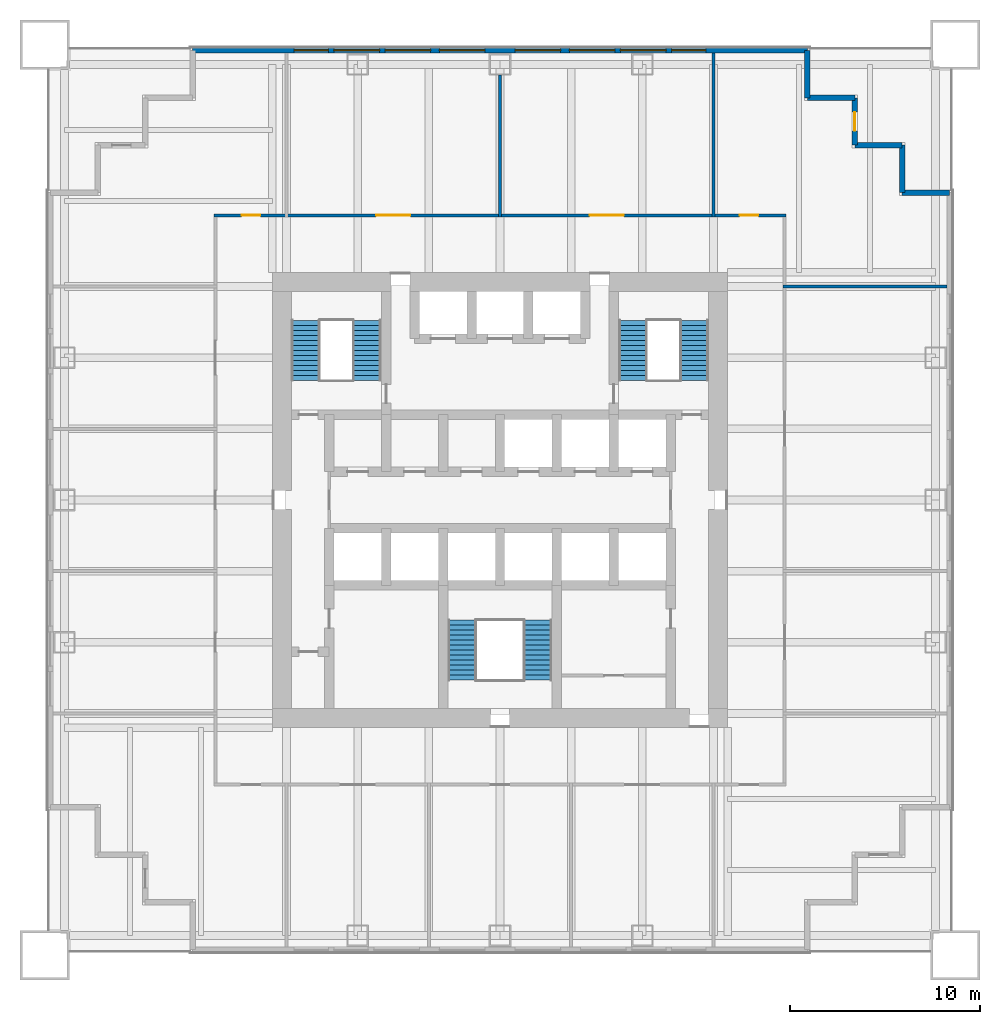
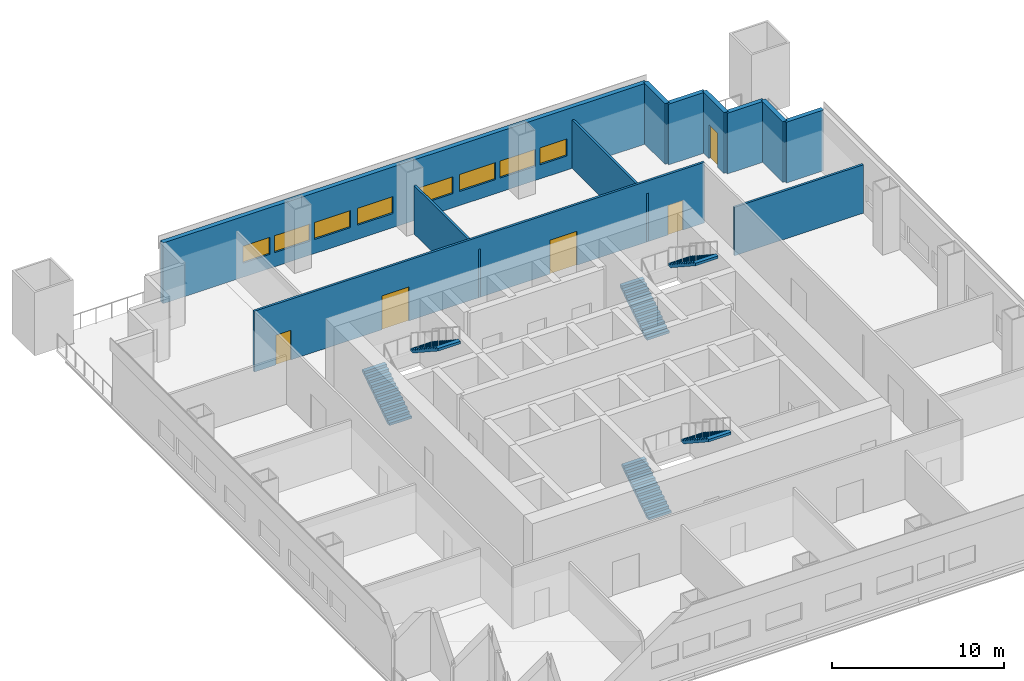
# One storey, part 5 of 7: 11 walls, 8 windows, 6 stair flights, 5 doors, 13 openings, 3 elements without a shape of their own.
"""IFC4 building model written with IfcOpenShell, lengths in metres."""

from ifc_helpers import new_model, si_unit, direction, frame, frame_2d, origin, place, context, subcontext, project, spatial, polyline, rectangle, outline, extrude, material, layer, layer_set, type_object, element, fill, aggregate, save


model = new_model("IFC4")

# Units and contexts
model_context = context("Model", 3, precision=1e-05, world=origin(), true_north=direction((0.0, 1.0)))
body_context = subcontext(model_context, "Body", "Model", "MODEL_VIEW")
ifc_project = project(units=[si_unit("LENGTHUNIT", "METRE"), si_unit("AREAUNIT", "SQUARE_METRE"), si_unit("VOLUMEUNIT", "CUBIC_METRE"), si_unit("PLANEANGLEUNIT", "RADIAN"), si_unit("MASSUNIT", "GRAM", prefix="KILO")], contexts=[model_context])

# Site, building, storey
site_placement = place(None, origin())
site = spatial("IfcSite", under=ifc_project, at=site_placement, CompositionType="ELEMENT")
building_placement = place(site_placement, origin())
building = spatial("IfcBuilding", under=site, at=building_placement, Name="Tarangal Relay Tower", CompositionType="ELEMENT")
storey_placement = place(building_placement, frame((0.0, 0.0, 162.89990234375)))
storey = spatial("IfcBuildingStorey", under=building, at=storey_placement, Name="L33", CompositionType="ELEMENT", Elevation=162.89990234375)

# Wall, openings, windows
ifc_material_1 = material(Name="Insulated precast concrete fc' 40 MPa", Category="concrete")
ifc_layer_1 = layer(ifc_material_1, 0.300048828125)
ifc_layer_set_1 = layer_set([ifc_layer_1], Name="Insulated precast concrete fc' 40 MPa")
wall_type_1 = type_object("IfcWallType", Name="Facade wall precast 300", PredefinedType="SOLIDWALL", material=ifc_layer_set_1)
wall_1_placement = place(storey_placement, frame((-16.199951171875, 23.699951171875, 0.0), z_axis=(0.0, 0.0, 1.0), x_axis=(1.0, 0.0, 0.0)))
wall_1 = element("IfcWall", 1, at=wall_1_placement, inside=storey, type_object=wall_type_1, Name="Facade wall N facade L33", PredefinedType="SOLIDWALL", context=body_context, shape_type="SweptSolid", body=[
    extrude(rectangle(XDim=32.39990234375, YDim=0.300048828125, at=frame_2d((16.199951171875, 0.0))), origin(), (0.0, 0.0, 1.0), 4.300048828125),
])
opening_1_placement = place(wall_1_placement, frame((5.35009765625, 0.0, 1.0)))
opening_1 = element("IfcOpeningElement", 2, at=opening_1_placement, cuts=wall_1, Name="Opening WN5", PredefinedType="OPENING", context=body_context, shape_type="SweptSolid", body=[
    extrude(rectangle(XDim=1.800048828125, YDim=1.199951171875, at=frame_2d((0.89990234375, 0.60009765625))), frame((0.0, 0.159912109375, 0.0), z_axis=(0.0, -1.0, 0.0), x_axis=(1.0, 0.0, 0.0)), (0.0, 0.0, 1.0), 0.320068359375),
])
opening_2_placement = place(wall_1_placement, frame((7.449951171875, 0.0, 1.0)))
opening_2 = element("IfcOpeningElement", 3, at=opening_2_placement, cuts=wall_1, Name="Opening WN1", PredefinedType="OPENING", context=body_context, shape_type="SweptSolid", body=[
    extrude(rectangle(XDim=2.39990234375, YDim=1.199951171875, at=frame_2d((1.199951171875, 0.60009765625))), frame((0.0, 0.159912109375, 0.0), z_axis=(0.0, -1.0, 0.0), x_axis=(1.0, 0.0, 0.0)), (0.0, 0.0, 1.0), 0.320068359375),
])
opening_3_placement = place(wall_1_placement, frame((10.14990234375, 0.0, 1.0)))
opening_3 = element("IfcOpeningElement", 4, at=opening_3_placement, cuts=wall_1, Name="Opening WN1", PredefinedType="OPENING", context=body_context, shape_type="SweptSolid", body=[
    extrude(rectangle(XDim=2.39990234375, YDim=1.199951171875, at=frame_2d((1.199951171875, 0.60009765625))), frame((0.0, 0.159912109375, 0.0), z_axis=(0.0, -1.0, 0.0), x_axis=(1.0, 0.0, 0.0)), (0.0, 0.0, 1.0), 0.320068359375),
])
opening_4_placement = place(wall_1_placement, frame((13.0, 0.0, 1.0)))
opening_4 = element("IfcOpeningElement", 5, at=opening_4_placement, cuts=wall_1, Name="Opening WN1", PredefinedType="OPENING", context=body_context, shape_type="SweptSolid", body=[
    extrude(rectangle(XDim=2.39990234375, YDim=1.199951171875, at=frame_2d((1.199951171875, 0.60009765625))), frame((0.0, 0.159912109375, 0.0), z_axis=(0.0, -1.0, 0.0), x_axis=(1.0, 0.0, 0.0)), (0.0, 0.0, 1.0), 0.320068359375),
])
opening_5_placement = place(wall_1_placement, frame((17.0, 0.0, 1.0)))
opening_5 = element("IfcOpeningElement", 6, at=opening_5_placement, cuts=wall_1, Name="Opening WN1", PredefinedType="OPENING", context=body_context, shape_type="SweptSolid", body=[
    extrude(rectangle(XDim=2.39990234375, YDim=1.199951171875, at=frame_2d((1.199951171875, 0.60009765625))), frame((0.0, 0.159912109375, 0.0), z_axis=(0.0, -1.0, 0.0), x_axis=(1.0, 0.0, 0.0)), (0.0, 0.0, 1.0), 0.320068359375),
])
opening_6_placement = place(wall_1_placement, frame((19.85009765625, 0.0, 1.0)))
opening_6 = element("IfcOpeningElement", 7, at=opening_6_placement, cuts=wall_1, Name="Opening WN1", PredefinedType="OPENING", context=body_context, shape_type="SweptSolid", body=[
    extrude(rectangle(XDim=2.39990234375, YDim=1.199951171875, at=frame_2d((1.199951171875, 0.60009765625))), frame((0.0, 0.159912109375, 0.0), z_axis=(0.0, -1.0, 0.0), x_axis=(1.0, 0.0, 0.0)), (0.0, 0.0, 1.0), 0.320068359375),
])
opening_7_placement = place(wall_1_placement, frame((22.550048828125, 0.0, 1.0)))
opening_7 = element("IfcOpeningElement", 8, at=opening_7_placement, cuts=wall_1, Name="Opening WN1", PredefinedType="OPENING", context=body_context, shape_type="SweptSolid", body=[
    extrude(rectangle(XDim=2.39990234375, YDim=1.199951171875, at=frame_2d((1.199951171875, 0.60009765625))), frame((0.0, 0.159912109375, 0.0), z_axis=(0.0, -1.0, 0.0), x_axis=(1.0, 0.0, 0.0)), (0.0, 0.0, 1.0), 0.320068359375),
])
opening_8_placement = place(wall_1_placement, frame((25.25, 0.0, 1.0)))
opening_8 = element("IfcOpeningElement", 9, at=opening_8_placement, cuts=wall_1, Name="Opening WN5", PredefinedType="OPENING", context=body_context, shape_type="SweptSolid", body=[
    extrude(rectangle(XDim=1.800048828125, YDim=1.199951171875, at=frame_2d((0.89990234375, 0.60009765625))), frame((0.0, 0.159912109375, 0.0), z_axis=(0.0, -1.0, 0.0), x_axis=(1.0, 0.0, 0.0)), (0.0, 0.0, 1.0), 0.320068359375),
])
ifc_material_2 = material(Name="Dark tinted double glazing in black aluminium frame", Category="aluminium")
window_type_1 = type_object("IfcWindowType", Name="Ribbon window 1800 x 1200", PartitioningType="SINGLE_PANEL", PredefinedType="WINDOW", material=ifc_material_2)
window_1_placement = place(opening_1_placement, origin())
window_1 = element("IfcWindow", 10, at=window_1_placement, inside=storey, type_object=window_type_1, Name="Ribbon window WN5 N facade L33", OverallHeight=1.199951171875, OverallWidth=1.800048828125, PartitioningType="SINGLE_PANEL", PredefinedType="WINDOW", context=body_context, shape_type="SweptSolid", body=[
    extrude(rectangle(XDim=1.800048828125, YDim=1.199951171875, at=frame_2d((0.89990234375, 0.60009765625))), frame((0.0, 0.030029296875, 0.0), z_axis=(0.0, -1.0, 0.0), x_axis=(1.0, 0.0, 0.0)), (0.0, 0.0, 1.0), 0.06005859375),
])
fill(opening_1, window_1)
window_2_placement = place(opening_8_placement, origin())
window_2 = element("IfcWindow", 11, at=window_2_placement, inside=storey, type_object=window_type_1, Name="Ribbon window WN5 N facade L33", OverallHeight=1.199951171875, OverallWidth=1.800048828125, PartitioningType="SINGLE_PANEL", PredefinedType="WINDOW", context=body_context, shape_type="SweptSolid", body=[
    extrude(rectangle(XDim=1.800048828125, YDim=1.199951171875, at=frame_2d((0.89990234375, 0.60009765625))), frame((0.0, 0.030029296875, 0.0), z_axis=(0.0, -1.0, 0.0), x_axis=(1.0, 0.0, 0.0)), (0.0, 0.0, 1.0), 0.06005859375),
])
fill(opening_8, window_2)
window_type_2 = type_object("IfcWindowType", Name="Ribbon window 2400 x 1200", PartitioningType="SINGLE_PANEL", PredefinedType="WINDOW", material=ifc_material_2)
window_3_placement = place(opening_2_placement, origin())
window_3 = element("IfcWindow", 12, at=window_3_placement, inside=storey, type_object=window_type_2, Name="Ribbon window WN1 N facade L33", OverallHeight=1.199951171875, OverallWidth=2.39990234375, PartitioningType="SINGLE_PANEL", PredefinedType="WINDOW", context=body_context, shape_type="SweptSolid", body=[
    extrude(rectangle(XDim=2.39990234375, YDim=1.199951171875, at=frame_2d((1.199951171875, 0.60009765625))), frame((0.0, 0.030029296875, 0.0), z_axis=(0.0, -1.0, 0.0), x_axis=(1.0, 0.0, 0.0)), (0.0, 0.0, 1.0), 0.06005859375),
])
fill(opening_2, window_3)
window_4_placement = place(opening_3_placement, origin())
window_4 = element("IfcWindow", 13, at=window_4_placement, inside=storey, type_object=window_type_2, Name="Ribbon window WN1 N facade L33", OverallHeight=1.199951171875, OverallWidth=2.39990234375, PartitioningType="SINGLE_PANEL", PredefinedType="WINDOW", context=body_context, shape_type="SweptSolid", body=[
    extrude(rectangle(XDim=2.39990234375, YDim=1.199951171875, at=frame_2d((1.199951171875, 0.60009765625))), frame((0.0, 0.030029296875, 0.0), z_axis=(0.0, -1.0, 0.0), x_axis=(1.0, 0.0, 0.0)), (0.0, 0.0, 1.0), 0.06005859375),
])
fill(opening_3, window_4)
window_5_placement = place(opening_4_placement, origin())
window_5 = element("IfcWindow", 14, at=window_5_placement, inside=storey, type_object=window_type_2, Name="Ribbon window WN1 N facade L33", OverallHeight=1.199951171875, OverallWidth=2.39990234375, PartitioningType="SINGLE_PANEL", PredefinedType="WINDOW", context=body_context, shape_type="SweptSolid", body=[
    extrude(rectangle(XDim=2.39990234375, YDim=1.199951171875, at=frame_2d((1.199951171875, 0.60009765625))), frame((0.0, 0.030029296875, 0.0), z_axis=(0.0, -1.0, 0.0), x_axis=(1.0, 0.0, 0.0)), (0.0, 0.0, 1.0), 0.06005859375),
])
fill(opening_4, window_5)
window_6_placement = place(opening_5_placement, origin())
window_6 = element("IfcWindow", 15, at=window_6_placement, inside=storey, type_object=window_type_2, Name="Ribbon window WN1 N facade L33", OverallHeight=1.199951171875, OverallWidth=2.39990234375, PartitioningType="SINGLE_PANEL", PredefinedType="WINDOW", context=body_context, shape_type="SweptSolid", body=[
    extrude(rectangle(XDim=2.39990234375, YDim=1.199951171875, at=frame_2d((1.199951171875, 0.60009765625))), frame((0.0, 0.030029296875, 0.0), z_axis=(0.0, -1.0, 0.0), x_axis=(1.0, 0.0, 0.0)), (0.0, 0.0, 1.0), 0.06005859375),
])
fill(opening_5, window_6)
window_7_placement = place(opening_6_placement, origin())
window_7 = element("IfcWindow", 16, at=window_7_placement, inside=storey, type_object=window_type_2, Name="Ribbon window WN1 N facade L33", OverallHeight=1.199951171875, OverallWidth=2.39990234375, PartitioningType="SINGLE_PANEL", PredefinedType="WINDOW", context=body_context, shape_type="SweptSolid", body=[
    extrude(rectangle(XDim=2.39990234375, YDim=1.199951171875, at=frame_2d((1.199951171875, 0.60009765625))), frame((0.0, 0.030029296875, 0.0), z_axis=(0.0, -1.0, 0.0), x_axis=(1.0, 0.0, 0.0)), (0.0, 0.0, 1.0), 0.06005859375),
])
fill(opening_6, window_7)
window_8_placement = place(opening_7_placement, origin())
window_8 = element("IfcWindow", 17, at=window_8_placement, inside=storey, type_object=window_type_2, Name="Ribbon window WN1 N facade L33", OverallHeight=1.199951171875, OverallWidth=2.39990234375, PartitioningType="SINGLE_PANEL", PredefinedType="WINDOW", context=body_context, shape_type="SweptSolid", body=[
    extrude(rectangle(XDim=2.39990234375, YDim=1.199951171875, at=frame_2d((1.199951171875, 0.60009765625))), frame((0.0, 0.030029296875, 0.0), z_axis=(0.0, -1.0, 0.0), x_axis=(1.0, 0.0, 0.0)), (0.0, 0.0, 1.0), 0.06005859375),
])
fill(opening_7, window_8)

# Walls
for number, where, z_axis, x_axis, name in (
    (18, (16.199951171875, 23.699951171875, 0.0), (0.0, 0.0, 1.0), (0.0, -1.0, 0.0), "Facade wall N facade L33"),
    (19, (16.199951171875, 21.199951171875, 0.0), (0.0, 0.0, 1.0), (1.0, 0.0, 0.0), "Facade wall N facade L33"),
):
    element("IfcWall", number, at=place(storey_placement, frame(where, z_axis=z_axis, x_axis=x_axis)), inside=storey, type_object=wall_type_1, Name=name, PredefinedType="SOLIDWALL", context=body_context, shape_type="SweptSolid", body=[
        extrude(rectangle(XDim=2.5, YDim=0.300048828125, at=frame_2d((1.25, 0.0))), origin(), (0.0, 0.0, 1.0), 4.300048828125),
    ])

# Wall, opening, door
wall_2_placement = place(storey_placement, frame((18.699951171875, 21.199951171875, 0.0), z_axis=(0.0, 0.0, 1.0), x_axis=(0.0, -1.0, 0.0)))
wall_2 = element("IfcWall", 20, at=wall_2_placement, inside=storey, type_object=wall_type_1, Name="Facade wall N facade L33", PredefinedType="SOLIDWALL", context=body_context, shape_type="SweptSolid", body=[
    extrude(rectangle(XDim=2.5, YDim=0.300048828125, at=frame_2d((1.25, 0.0))), origin(), (0.0, 0.0, 1.0), 4.300048828125),
])
opening_9_placement = place(wall_2_placement, frame((0.75, 0.0, 0.0)))
opening_9 = element("IfcOpeningElement", 21, at=opening_9_placement, cuts=wall_2, Name="Opening TD1", PredefinedType="OPENING", context=body_context, shape_type="SweptSolid", body=[
    extrude(rectangle(XDim=1.0, YDim=2.39990234375, at=frame_2d((0.5, 1.199951171875))), frame((0.0, 0.159912109375, 0.0), z_axis=(0.0, -1.0, 0.0), x_axis=(1.0, 0.0, 0.0)), (0.0, 0.0, 1.0), 0.320068359375),
])
ifc_material_3 = material(Name="Aluminium glazed door", Category="aluminium")
door_type_1 = type_object("IfcDoorType", Name="Terrace door 1000 x 2400", OperationType="SINGLE_SWING_RIGHT", PredefinedType="DOOR", material=ifc_material_3)
door_1_placement = place(opening_9_placement, origin())
door_1 = element("IfcDoor", 22, at=door_1_placement, inside=storey, type_object=door_type_1, Name="Terrace door TD1 NE L33", OperationType="SINGLE_SWING_RIGHT", OverallHeight=2.39990234375, OverallWidth=1.0, PredefinedType="DOOR", context=body_context, shape_type="SweptSolid", body=[
    extrude(rectangle(XDim=1.0, YDim=2.39990234375, at=frame_2d((0.5, 1.199951171875))), frame((0.0, 0.02490234375, 0.0), z_axis=(0.0, -1.0, 0.0), x_axis=(1.0, 0.0, 0.0)), (0.0, 0.0, 1.0), 0.050048828125),
])
fill(opening_9, door_1)

# Walls
for number, where, z_axis, x_axis, name in (
    (23, (18.699951171875, 18.699951171875, 0.0), (0.0, 0.0, 1.0), (1.0, 0.0, 0.0), "Facade wall N facade L33"),
    (24, (21.199951171875, 18.699951171875, 0.0), (0.0, 0.0, 1.0), (0.0, -1.0, 0.0), "Facade wall N facade L33"),
    (25, (21.199951171875, 16.199951171875, 0.0), (0.0, 0.0, 1.0), (1.0, 0.0, 0.0), "Facade wall N facade L33"),
):
    element("IfcWall", number, at=place(storey_placement, frame(where, z_axis=z_axis, x_axis=x_axis)), inside=storey, type_object=wall_type_1, Name=name, PredefinedType="SOLIDWALL", context=body_context, shape_type="SweptSolid", body=[
        extrude(rectangle(XDim=2.5, YDim=0.300048828125, at=frame_2d((1.25, 0.0))), origin(), (0.0, 0.0, 1.0), 4.300048828125),
    ])
ifc_material_4 = material(Name="Gypsum board on steel studs", Category="steel")
ifc_layer_2 = layer(ifc_material_4, 0.14990234375)
ifc_layer_set_2 = layer_set([ifc_layer_2], Name="Partition 150")
wall_type_2 = type_object("IfcWallType", Name="Partition 150", PredefinedType="PARTITIONING", material=ifc_layer_set_2)
wall_3_placement = place(storey_placement, frame((14.925048828125, 11.25, 0.0), z_axis=(0.0, 0.0, 1.0), x_axis=(1.0, 0.0, 0.0)))
element("IfcWall", 26, at=wall_3_placement, inside=storey, type_object=wall_type_2, Name="Partition PT1 L33", PredefinedType="PARTITIONING", context=body_context, shape_type="SweptSolid", body=[
    extrude(rectangle(XDim=8.625, YDim=0.14990234375, at=frame_2d((4.3125, 0.0))), origin(), (0.0, 0.0, 1.0), 3.431396484375),
])

# Wall, openings, doors
wall_4_placement = place(storey_placement, frame((-15.074951171875, 15.0, 0.0), z_axis=(0.0, 0.0, 1.0), x_axis=(1.0, 0.0, 0.0)))
wall_4 = element("IfcWall", 27, at=wall_4_placement, inside=storey, type_object=wall_type_2, Name="Partition PT1 L33", PredefinedType="PARTITIONING", context=body_context, shape_type="SweptSolid", body=[
    extrude(rectangle(XDim=30.14990234375, YDim=0.14990234375, at=frame_2d((15.074951171875, 0.0))), origin(), (0.0, 0.0, 1.0), 4.300048828125),
])
opening_10_placement = place(wall_4_placement, frame((8.550048828125, 0.0, 0.0)))
opening_10 = element("IfcOpeningElement", 28, at=opening_10_placement, cuts=wall_4, Name="Opening DD1", PredefinedType="OPENING", context=body_context, shape_type="SweptSolid", body=[
    extrude(rectangle(XDim=1.800048828125, YDim=2.39990234375, at=frame_2d((0.89990234375, 1.199951171875))), frame((0.0, 0.0849609375, 0.0), z_axis=(0.0, -1.0, 0.0), x_axis=(1.0, 0.0, 0.0)), (0.0, 0.0, 1.0), 0.169921875),
])
opening_11_placement = place(wall_4_placement, frame((19.800048828125, 0.0, 0.0)))
opening_11 = element("IfcOpeningElement", 29, at=opening_11_placement, cuts=wall_4, Name="Opening DD1", PredefinedType="OPENING", context=body_context, shape_type="SweptSolid", body=[
    extrude(rectangle(XDim=1.800048828125, YDim=2.39990234375, at=frame_2d((0.89990234375, 1.199951171875))), frame((0.0, 0.0849609375, 0.0), z_axis=(0.0, -1.0, 0.0), x_axis=(1.0, 0.0, 0.0)), (0.0, 0.0, 1.0), 0.169921875),
])
opening_12_placement = place(wall_4_placement, frame((27.699951171875, 0.0, 0.0)))
opening_12 = element("IfcOpeningElement", 30, at=opening_12_placement, cuts=wall_4, Name="Opening D2", PredefinedType="OPENING", context=body_context, shape_type="SweptSolid", body=[
    extrude(rectangle(XDim=1.0, YDim=2.10009765625, at=frame_2d((0.5, 1.050048828125))), frame((0.0, 0.0849609375, 0.0), z_axis=(0.0, -1.0, 0.0), x_axis=(1.0, 0.0, 0.0)), (0.0, 0.0, 1.0), 0.169921875),
])
opening_13_placement = place(wall_4_placement, frame((1.449951171875, 0.0, 0.0)))
opening_13 = element("IfcOpeningElement", 31, at=opening_13_placement, cuts=wall_4, Name="Opening D2", PredefinedType="OPENING", context=body_context, shape_type="SweptSolid", body=[
    extrude(rectangle(XDim=1.0, YDim=2.10009765625, at=frame_2d((0.5, 1.050048828125))), frame((0.0, 0.0849609375, 0.0), z_axis=(0.0, -1.0, 0.0), x_axis=(1.0, 0.0, 0.0)), (0.0, 0.0, 1.0), 0.169921875),
])
ifc_material_5 = material(Name="Hardwood door", Category="wood")
door_type_2 = type_object("IfcDoorType", Name="Door 1000 x 2100", OperationType="SINGLE_SWING_LEFT", PredefinedType="DOOR", material=ifc_material_5)
door_2_placement = place(opening_12_placement, origin())
door_2 = element("IfcDoor", 32, at=door_2_placement, inside=storey, type_object=door_type_2, Name="Door D2 to radio test lab L33-12", OperationType="SINGLE_SWING_LEFT", OverallHeight=2.10009765625, OverallWidth=1.0, PredefinedType="DOOR", context=body_context, shape_type="SweptSolid", body=[
    extrude(rectangle(XDim=1.0, YDim=2.10009765625, at=frame_2d((0.5, 1.050048828125))), frame((0.0, 0.02490234375, 0.0), z_axis=(0.0, -1.0, 0.0), x_axis=(1.0, 0.0, 0.0)), (0.0, 0.0, 1.0), 0.050048828125),
])
fill(opening_12, door_2)
door_3_placement = place(opening_13_placement, origin())
door_3 = element("IfcDoor", 33, at=door_3_placement, inside=storey, type_object=door_type_2, Name="Door D2 to rack staging room L33-15", OperationType="SINGLE_SWING_LEFT", OverallHeight=2.10009765625, OverallWidth=1.0, PredefinedType="DOOR", context=body_context, shape_type="SweptSolid", body=[
    extrude(rectangle(XDim=1.0, YDim=2.10009765625, at=frame_2d((0.5, 1.050048828125))), frame((0.0, 0.02490234375, 0.0), z_axis=(0.0, -1.0, 0.0), x_axis=(1.0, 0.0, 0.0)), (0.0, 0.0, 1.0), 0.050048828125),
])
fill(opening_13, door_3)
ifc_material_6 = material(Name="Steel door with hardwood frame", Category="steel")
door_type_3 = type_object("IfcDoorType", Name="Equipment double door 1800 x 2400", OperationType="DOUBLE_DOOR_SINGLE_SWING", PredefinedType="DOOR", material=ifc_material_6)
door_4_placement = place(opening_10_placement, origin())
door_4 = element("IfcDoor", 34, at=door_4_placement, inside=storey, type_object=door_type_3, Name="Door DD1 to microwave and antenna room L33-02", OperationType="DOUBLE_DOOR_SINGLE_SWING", OverallHeight=2.39990234375, OverallWidth=1.800048828125, PredefinedType="DOOR", context=body_context, shape_type="SweptSolid", body=[
    extrude(rectangle(XDim=1.800048828125, YDim=2.39990234375, at=frame_2d((0.89990234375, 1.199951171875))), frame((0.0, 0.02490234375, 0.0), z_axis=(0.0, -1.0, 0.0), x_axis=(1.0, 0.0, 0.0)), (0.0, 0.0, 1.0), 0.050048828125),
])
fill(opening_10, door_4)
door_5_placement = place(opening_11_placement, origin())
door_5 = element("IfcDoor", 35, at=door_5_placement, inside=storey, type_object=door_type_3, Name="Door DD1 to telecom radio equipment room L33-03", OperationType="DOUBLE_DOOR_SINGLE_SWING", OverallHeight=2.39990234375, OverallWidth=1.800048828125, PredefinedType="DOOR", context=body_context, shape_type="SweptSolid", body=[
    extrude(rectangle(XDim=1.800048828125, YDim=2.39990234375, at=frame_2d((0.89990234375, 1.199951171875))), frame((0.0, 0.02490234375, 0.0), z_axis=(0.0, -1.0, 0.0), x_axis=(1.0, 0.0, 0.0)), (0.0, 0.0, 1.0), 0.050048828125),
])
fill(opening_11, door_5)

# Walls
wall_5_placement = place(storey_placement, frame((0.0, 14.925048828125, 0.0), z_axis=(0.0, 0.0, 1.0), x_axis=(0.0, 1.0, 0.0)))
element("IfcWall", 36, at=wall_5_placement, inside=storey, type_object=wall_type_2, Name="Partition PT1 L33", PredefinedType="PARTITIONING", context=body_context, shape_type="SweptSolid", body=[
    extrude(rectangle(XDim=7.46484375, YDim=0.14990234375, at=frame_2d((3.732421875, 0.0))), origin(), (0.0, 0.0, 1.0), 3.431396484375),
])
wall_6_placement = place(storey_placement, frame((11.25, 14.925048828125, 0.0), z_axis=(0.0, 0.0, 1.0), x_axis=(0.0, 1.0, 0.0)))
element("IfcWall", 37, at=wall_6_placement, inside=storey, type_object=wall_type_2, Name="Partition PT1 L33", PredefinedType="PARTITIONING", context=body_context, shape_type="SweptSolid", body=[
    extrude(rectangle(XDim=8.625, YDim=0.14990234375, at=frame_2d((4.3125, 0.0))), origin(), (0.0, 0.0, 1.0), 3.431396484375),
])

# Stair, stair flights
ifc_material_7 = material(Name="Steel ASTM A992 stair flight", Category="steel")
stair_type = type_object("IfcStairType", Name="Core stair 1500", PredefinedType="HALF_TURN_STAIR", material=ifc_material_7)
stair_1_placement = place(storey_placement, origin())
stair_1 = element("IfcStair", 38, at=stair_1_placement, inside=storey, type_object=stair_type, Name="Stair ST-A L33", PredefinedType="HALF_TURN_STAIR")
stair_flight_type = type_object("IfcStairFlightType", Name="Steel stair flight 1500, 13 risers 173 x 264", PredefinedType="STRAIGHT", material=ifc_material_7)
stair_flight_1_placement = place(storey_placement, frame((-10.25, 6.300048828125, 0.0), z_axis=(0.0, 0.0, 1.0), x_axis=(0.0, 1.0, 0.0)))
stair_flight_1 = element("IfcStairFlight", 39, at=stair_flight_1_placement, type_object=stair_flight_type, Name="ST-A flight 1", NumberOfRisers=13, NumberOfTreads=12, PredefinedType="STRAIGHT", RiserHeight=0.173076923, TreadLength=0.264, context=body_context, shape_type="SweptSolid", body=[
    extrude(outline(polyline([(0.0, 0.0), (0.0, 0.173095703125), (0.263916015625, 0.173095703125), (0.263916015625, 0.34619140625), (0.528076171875, 0.34619140625), (0.528076171875, 0.519287109375), (0.7919921875, 0.519287109375), (0.7919921875, 0.6923828125), (1.055908203125, 0.6923828125), (1.055908203125, 0.865478515625), (1.320068359375, 0.865478515625), (1.320068359375, 1.03857421875), (1.583984375, 1.03857421875), (1.583984375, 1.21142578125), (1.847900390625, 1.21142578125), (1.847900390625, 1.384521484375), (2.112060546875, 1.384521484375), (2.112060546875, 1.5576171875), (2.3759765625, 1.5576171875), (2.3759765625, 1.730712890625), (2.639892578125, 1.730712890625), (2.639892578125, 1.90380859375), (2.904052734375, 1.90380859375), (2.904052734375, 2.076904296875), (3.16796875, 2.076904296875), (3.16796875, 2.25), (3.16796875, 1.897705078125), (0.2734375, 0.0), (0.0, 0.0)])), frame((0.0, 0.75, 0.0), z_axis=(0.0, -1.0, 0.0), x_axis=(1.0, 0.0, 0.0)), (0.0, 0.0, 1.0), 1.5),
])
stair_flight_2_placement = place(storey_placement, frame((-7.0, 9.468017578125, 2.25), z_axis=(0.0, 0.0, 1.0), x_axis=(0.0, -1.0, 0.0)))
stair_flight_2 = element("IfcStairFlight", 40, at=stair_flight_2_placement, type_object=stair_flight_type, Name="ST-A flight 2", NumberOfRisers=13, NumberOfTreads=12, PredefinedType="STRAIGHT", RiserHeight=0.173076923, TreadLength=0.264, context=body_context, shape_type="SweptSolid", body=[
    extrude(outline(polyline([(0.0, 0.0), (0.0, 0.173095703125), (0.263916015625, 0.173095703125), (0.263916015625, 0.34619140625), (0.528076171875, 0.34619140625), (0.528076171875, 0.519287109375), (0.7919921875, 0.519287109375), (0.7919921875, 0.6923828125), (1.055908203125, 0.6923828125), (1.055908203125, 0.865478515625), (1.320068359375, 0.865478515625), (1.320068359375, 1.03857421875), (1.583984375, 1.03857421875), (1.583984375, 1.21142578125), (1.847900390625, 1.21142578125), (1.847900390625, 1.384521484375), (2.112060546875, 1.384521484375), (2.112060546875, 1.5576171875), (2.3759765625, 1.5576171875), (2.3759765625, 1.730712890625), (2.639892578125, 1.730712890625), (2.639892578125, 1.90380859375), (2.904052734375, 1.90380859375), (2.904052734375, 2.076904296875), (3.16796875, 2.076904296875), (3.16796875, 2.25), (3.16796875, 1.897705078125), (0.2734375, 0.0), (0.0, 0.0)])), frame((0.0, 0.75, 0.0), z_axis=(0.0, -1.0, 0.0), x_axis=(1.0, 0.0, 0.0)), (0.0, 0.0, 1.0), 1.5),
])
aggregate(stair_1, [stair_flight_1, stair_flight_2])

stair_2_placement = place(storey_placement, origin())
stair_2 = element("IfcStair", 41, at=stair_2_placement, inside=storey, type_object=stair_type, Name="Stair ST-B L33", PredefinedType="HALF_TURN_STAIR")
stair_flight_3_placement = place(storey_placement, frame((7.0, 6.300048828125, 0.0), z_axis=(0.0, 0.0, 1.0), x_axis=(0.0, 1.0, 0.0)))
stair_flight_3 = element("IfcStairFlight", 42, at=stair_flight_3_placement, type_object=stair_flight_type, Name="ST-B flight 1", NumberOfRisers=13, NumberOfTreads=12, PredefinedType="STRAIGHT", RiserHeight=0.173076923, TreadLength=0.264, context=body_context, shape_type="SweptSolid", body=[
    extrude(outline(polyline([(0.0, 0.0), (0.0, 0.173095703125), (0.263916015625, 0.173095703125), (0.263916015625, 0.34619140625), (0.528076171875, 0.34619140625), (0.528076171875, 0.519287109375), (0.7919921875, 0.519287109375), (0.7919921875, 0.6923828125), (1.055908203125, 0.6923828125), (1.055908203125, 0.865478515625), (1.320068359375, 0.865478515625), (1.320068359375, 1.03857421875), (1.583984375, 1.03857421875), (1.583984375, 1.21142578125), (1.847900390625, 1.21142578125), (1.847900390625, 1.384521484375), (2.112060546875, 1.384521484375), (2.112060546875, 1.5576171875), (2.3759765625, 1.5576171875), (2.3759765625, 1.730712890625), (2.639892578125, 1.730712890625), (2.639892578125, 1.90380859375), (2.904052734375, 1.90380859375), (2.904052734375, 2.076904296875), (3.16796875, 2.076904296875), (3.16796875, 2.25), (3.16796875, 1.897705078125), (0.2734375, 0.0), (0.0, 0.0)])), frame((0.0, 0.75, 0.0), z_axis=(0.0, -1.0, 0.0), x_axis=(1.0, 0.0, 0.0)), (0.0, 0.0, 1.0), 1.5),
])
stair_flight_4_placement = place(storey_placement, frame((10.25, 9.468017578125, 2.25), z_axis=(0.0, 0.0, 1.0), x_axis=(0.0, -1.0, 0.0)))
stair_flight_4 = element("IfcStairFlight", 43, at=stair_flight_4_placement, type_object=stair_flight_type, Name="ST-B flight 2", NumberOfRisers=13, NumberOfTreads=12, PredefinedType="STRAIGHT", RiserHeight=0.173076923, TreadLength=0.264, context=body_context, shape_type="SweptSolid", body=[
    extrude(outline(polyline([(0.0, 0.0), (0.0, 0.173095703125), (0.263916015625, 0.173095703125), (0.263916015625, 0.34619140625), (0.528076171875, 0.34619140625), (0.528076171875, 0.519287109375), (0.7919921875, 0.519287109375), (0.7919921875, 0.6923828125), (1.055908203125, 0.6923828125), (1.055908203125, 0.865478515625), (1.320068359375, 0.865478515625), (1.320068359375, 1.03857421875), (1.583984375, 1.03857421875), (1.583984375, 1.21142578125), (1.847900390625, 1.21142578125), (1.847900390625, 1.384521484375), (2.112060546875, 1.384521484375), (2.112060546875, 1.5576171875), (2.3759765625, 1.5576171875), (2.3759765625, 1.730712890625), (2.639892578125, 1.730712890625), (2.639892578125, 1.90380859375), (2.904052734375, 1.90380859375), (2.904052734375, 2.076904296875), (3.16796875, 2.076904296875), (3.16796875, 2.25), (3.16796875, 1.897705078125), (0.2734375, 0.0), (0.0, 0.0)])), frame((0.0, 0.75, 0.0), z_axis=(0.0, -1.0, 0.0), x_axis=(1.0, 0.0, 0.0)), (0.0, 0.0, 1.0), 1.5),
])
aggregate(stair_2, [stair_flight_3, stair_flight_4])

stair_3_placement = place(storey_placement, origin())
stair_3 = element("IfcStair", 44, at=stair_3_placement, inside=storey, type_object=stair_type, Name="Stair ST-C L33", PredefinedType="HALF_TURN_STAIR")
stair_flight_5_placement = place(storey_placement, frame((-2.0, -9.5, 0.0), z_axis=(0.0, 0.0, 1.0), x_axis=(0.0, 1.0, 0.0)))
stair_flight_5 = element("IfcStairFlight", 45, at=stair_flight_5_placement, type_object=stair_flight_type, Name="ST-C flight 1", NumberOfRisers=13, NumberOfTreads=12, PredefinedType="STRAIGHT", RiserHeight=0.173076923, TreadLength=0.264, context=body_context, shape_type="SweptSolid", body=[
    extrude(outline(polyline([(0.0, 0.0), (0.0, 0.173095703125), (0.263916015625, 0.173095703125), (0.263916015625, 0.34619140625), (0.528076171875, 0.34619140625), (0.528076171875, 0.519287109375), (0.7919921875, 0.519287109375), (0.7919921875, 0.6923828125), (1.055908203125, 0.6923828125), (1.055908203125, 0.865478515625), (1.320068359375, 0.865478515625), (1.320068359375, 1.03857421875), (1.583984375, 1.03857421875), (1.583984375, 1.21142578125), (1.847900390625, 1.21142578125), (1.847900390625, 1.384521484375), (2.112060546875, 1.384521484375), (2.112060546875, 1.5576171875), (2.3759765625, 1.5576171875), (2.3759765625, 1.730712890625), (2.639892578125, 1.730712890625), (2.639892578125, 1.90380859375), (2.904052734375, 1.90380859375), (2.904052734375, 2.076904296875), (3.16796875, 2.076904296875), (3.16796875, 2.25), (3.16796875, 1.897705078125), (0.2734375, 0.0), (0.0, 0.0)])), frame((0.0, 0.75, 0.0), z_axis=(0.0, -1.0, 0.0), x_axis=(1.0, 0.0, 0.0)), (0.0, 0.0, 1.0), 1.5),
])
stair_flight_6_placement = place(storey_placement, frame((2.0, -6.33203125, 2.25), z_axis=(0.0, 0.0, 1.0), x_axis=(0.0, -1.0, 0.0)))
stair_flight_6 = element("IfcStairFlight", 46, at=stair_flight_6_placement, type_object=stair_flight_type, Name="ST-C flight 2", NumberOfRisers=13, NumberOfTreads=12, PredefinedType="STRAIGHT", RiserHeight=0.173076923, TreadLength=0.264, context=body_context, shape_type="SweptSolid", body=[
    extrude(outline(polyline([(0.0, 0.0), (0.0, 0.173095703125), (0.263916015625, 0.173095703125), (0.263916015625, 0.34619140625), (0.528076171875, 0.34619140625), (0.528076171875, 0.519287109375), (0.7919921875, 0.519287109375), (0.7919921875, 0.6923828125), (1.055908203125, 0.6923828125), (1.055908203125, 0.865478515625), (1.320068359375, 0.865478515625), (1.320068359375, 1.03857421875), (1.583984375, 1.03857421875), (1.583984375, 1.21142578125), (1.847900390625, 1.21142578125), (1.847900390625, 1.384521484375), (2.112060546875, 1.384521484375), (2.112060546875, 1.5576171875), (2.3759765625, 1.5576171875), (2.3759765625, 1.730712890625), (2.639892578125, 1.730712890625), (2.639892578125, 1.90380859375), (2.904052734375, 1.90380859375), (2.904052734375, 2.076904296875), (3.16796875, 2.076904296875), (3.16796875, 2.25), (3.16796875, 1.897705078125), (0.2734375, 0.0), (0.0, 0.0)])), frame((0.0, 0.75, 0.0), z_axis=(0.0, -1.0, 0.0), x_axis=(1.0, 0.0, 0.0)), (0.0, 0.0, 1.0), 1.5),
])
aggregate(stair_3, [stair_flight_5, stair_flight_6])

save(model, "model.ifc")
